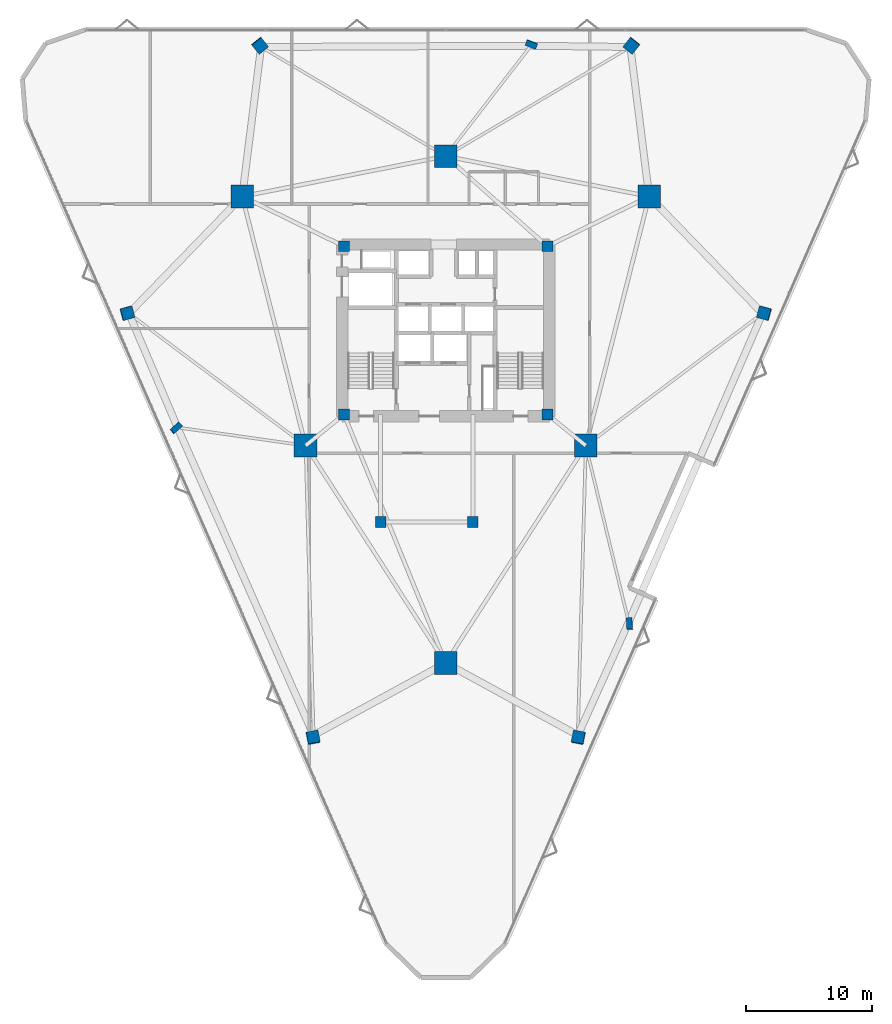
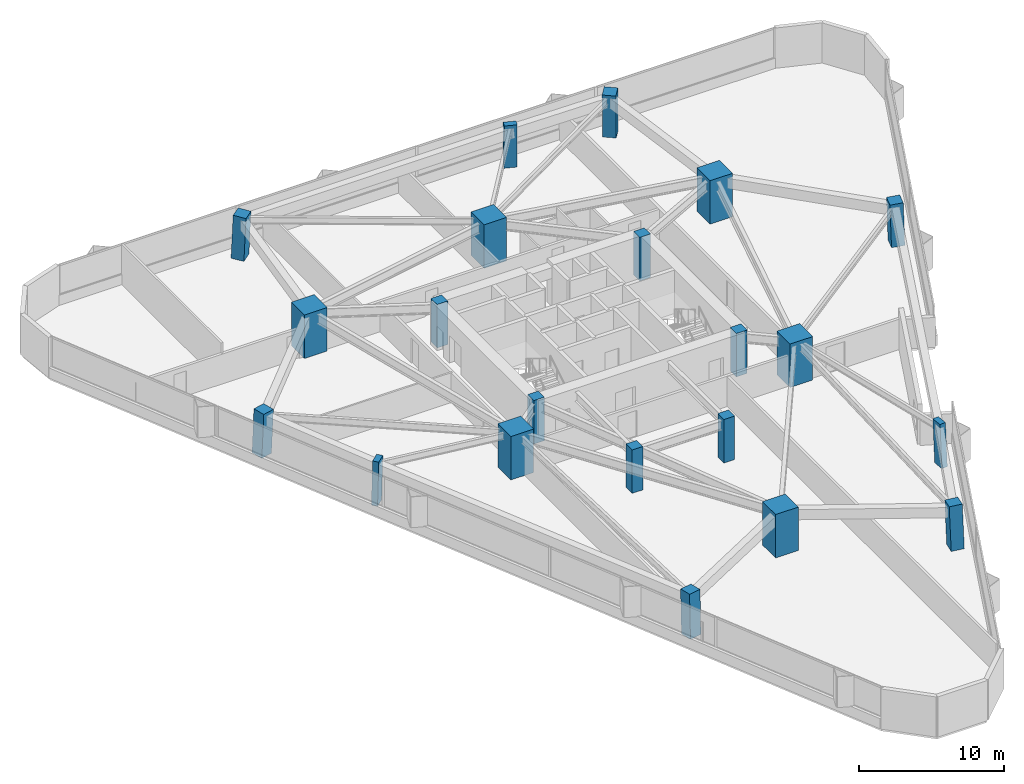
# One storey, part 1 of 14: 21 columns.
"""IFC4 building model written with IfcOpenShell, lengths in metres."""

from ifc_helpers import new_model, si_unit, direction, frame, origin, origin_2d, place, context, subcontext, project, spatial, rectangle, extrude, material, material_profile, profile_set, type_object, element, save


model = new_model("IFC4")

# Units and contexts
model_context = context("Model", 3, precision=1e-05, world=origin(), true_north=direction((0.0, 1.0)))
body_context = subcontext(model_context, "Body", "Model", "MODEL_VIEW")
ifc_project = project(units=[si_unit("LENGTHUNIT", "METRE"), si_unit("AREAUNIT", "SQUARE_METRE"), si_unit("VOLUMEUNIT", "CUBIC_METRE"), si_unit("PLANEANGLEUNIT", "RADIAN"), si_unit("MASSUNIT", "GRAM", prefix="KILO")], contexts=[model_context])

# Site, building, storey
site_placement = place(None, origin())
site = spatial("IfcSite", under=ifc_project, at=site_placement, CompositionType="ELEMENT")
building_placement = place(site_placement, origin())
building = spatial("IfcBuilding", under=site, at=building_placement, Name="Talyreon Biosciences Tower", CompositionType="ELEMENT")
storey_placement = place(building_placement, frame((0.0, 0.0, 52.0)))
storey = spatial("IfcBuildingStorey", under=building, at=storey_placement, Name="L13", CompositionType="ELEMENT", Elevation=52.0)

# Columns
ifc_material_1 = material(Name="Precast concrete C45/55", Category="concrete")
ifc_material_profile_1 = material_profile(ifc_material_1, rectangle(XDim=0.89990234375, YDim=0.449951171875, at=origin_2d()), Name="RC 900x450")
ifc_profile_set_1 = profile_set([ifc_material_profile_1], Name="Precast concrete C45/55")
column_type_1 = type_object("IfcColumnType", Name="FacadePilaster_900x450", PredefinedType="PILASTER", material=ifc_profile_set_1)
column_1_placement = place(storey_placement, frame((80.552734375, 44.767822265625, 0.0029296875), z_axis=(-0.019612004119, 0.038286915892, 0.999074312234), x_axis=(0.060300259614, -0.997402127238, 0.039406538446)))
element("IfcColumn", 1, at=column_1_placement, inside=storey, type_object=column_type_1, Name="L13 Facade Pilaster PL-SE", PredefinedType="PILASTER", context=body_context, shape_type="SweptSolid", body=[
    extrude(rectangle(XDim=0.89990234375, YDim=0.449951171875, at=origin_2d()), origin(), (0.0, 0.0, 1.0), 3.6474609375),
])
column_2_placement = place(storey_placement, frame((72.790283203125, 90.6484375, 0.0029296875), z_axis=(-0.012453496874, -0.033544096418, 0.99935964698), x_axis=(-0.937477612418, 0.348045580658, 0.0)))
element("IfcColumn", 2, at=column_2_placement, inside=storey, type_object=column_type_1, Name="L13 Facade Pilaster PL-N", PredefinedType="PILASTER", context=body_context, shape_type="SweptSolid", body=[
    extrude(rectangle(XDim=0.89990234375, YDim=0.449951171875, at=origin_2d()), origin(), (0.0, 0.0, 1.0), 3.646484375),
])
column_3_placement = place(storey_placement, frame((44.656982421875, 60.27734375, 0.0029296875), z_axis=(0.032073367297, 0.010512565064, 0.999430230224), x_axis=(0.745080128156, 0.666257925056, -0.030918925072)))
element("IfcColumn", 3, at=column_3_placement, inside=storey, type_object=column_type_1, Name="L13 Facade Pilaster PL-SW", PredefinedType="PILASTER", context=body_context, shape_type="SweptSolid", body=[
    extrude(rectangle(XDim=0.89990234375, YDim=0.449951171875, at=origin_2d()), origin(), (0.0, 0.0, 1.0), 3.646240234375),
])
ifc_material_2 = material(Name="Concrete C60/75", Category="concrete")
ifc_material_profile_2 = material_profile(ifc_material_2, rectangle(XDim=1.800048828125, YDim=1.800048828125, at=origin_2d()), Name="RC 1800x1800")
ifc_profile_set_2 = profile_set([ifc_material_profile_2], Name="Concrete C60/75")
column_type_2 = type_object("IfcColumnType", Name="MegaColumn_1800", PredefinedType="COLUMN", material=ifc_profile_set_2)
for number, where, z_axis, x_axis, name in (
    (4, (66.0, 41.6669921875, 0.0), (0.0, 0.0, 1.0), (1.0, 0.0, 0.0), "L13 Composite Mega-Column MC1"),
    (5, (82.102294921875, 78.5986328125, 0.0), (0.0, 0.0, 1.0), (1.0, 0.0, 0.0), "L13 Composite Mega-Column MC2"),
    (6, (49.897705078125, 78.5986328125, 0.0), (0.0, 0.0, 1.0), (1.0, 0.0, 0.0), "L13 Composite Mega-Column MC3"),
    (7, (77.086181640625, 58.88037109375, 0.0), (0.0, 0.0, 1.0), (1.0, 0.0, 0.0), "L13 Composite Mega-Column MC4"),
    (8, (66.0, 81.788818359375, 0.0), (0.0, 0.0, 1.0), (1.0, 0.0, 0.0), "L13 Composite Mega-Column MC5"),
    (9, (54.913818359375, 58.88037109375, 0.0), (0.0, 0.0, 1.0), (1.0, 0.0, 0.0), "L13 Composite Mega-Column MC6"),
):
    element("IfcColumn", number, at=place(storey_placement, frame(where, z_axis=z_axis, x_axis=x_axis)), inside=storey, type_object=column_type_2, Name=name, PredefinedType="COLUMN", context=body_context, shape_type="SweptSolid", body=[
        extrude(rectangle(XDim=1.800048828125, YDim=1.800048828125, at=origin_2d()), origin(), (0.0, 0.0, 1.0), 3.64990234375),
    ])
ifc_material_profile_3 = material_profile(ifc_material_2, rectangle(XDim=0.85009765625, YDim=0.85009765625, at=origin_2d()), Name="RC 850x850")
ifc_profile_set_3 = profile_set([ifc_material_profile_3], Name="Concrete C60/75")
column_type_3 = type_object("IfcColumnType", Name="PerimeterColumn_850", PredefinedType="COLUMN", material=ifc_profile_set_3)
for number, where, z_axis, x_axis, name in (
    (10, (57.949951171875, 61.35009765625, 0.0), (0.0, 0.0, 1.0), (1.0, 0.0, 0.0), "L13 Core Column CC1"),
    (11, (74.050048828125, 61.35009765625, 0.0), (0.0, 0.0, 1.0), (1.0, 0.0, 0.0), "L13 Core Column CC2"),
    (12, (74.050048828125, 74.64990234375, 0.0), (0.0, 0.0, 1.0), (1.0, 0.0, 0.0), "L13 Core Column CC3"),
    (13, (57.949951171875, 74.64990234375, 0.0), (0.0, 0.0, 1.0), (1.0, 0.0, 0.0), "L13 Core Column CC4"),
    (14, (60.85009765625, 52.840087890625, 0.0), (0.0, 0.0, 1.0), (1.0, 0.0, 0.0), "L13 Core Column CSW"),
    (15, (68.14990234375, 52.840087890625, 0.0), (0.0, 0.0, 1.0), (1.0, 0.0, 0.0), "L13 Core Column CSE"),
):
    element("IfcColumn", number, at=place(storey_placement, frame(where, z_axis=z_axis, x_axis=x_axis)), inside=storey, type_object=column_type_3, Name=name, PredefinedType="COLUMN", context=body_context, shape_type="SweptSolid", body=[
        extrude(rectangle(XDim=0.85009765625, YDim=0.85009765625, at=origin_2d()), origin(), (0.0, 0.0, 1.0), 3.64990234375),
    ])
ifc_material_profile_4 = material_profile(ifc_material_2, rectangle(XDim=0.949951171875, YDim=0.949951171875, at=origin_2d()), Name="RC 950x950")
ifc_profile_set_4 = profile_set([ifc_material_profile_4], Name="Concrete C60/75")
column_type_4 = type_object("IfcColumnType", Name="PerimeterColumn_950", PredefinedType="COLUMN", material=ifc_profile_set_4)
column_4_placement = place(storey_placement, frame((76.500244140625, 35.7607421875, 0.0029296875), z_axis=(-0.012375141264, 0.054450621561, 0.998439775695), x_axis=(-0.188379226129, -0.980763357947, 0.051151763134)))
element("IfcColumn", 16, at=column_4_placement, inside=storey, type_object=column_type_4, Name="L13 Tapering Perimeter Column PC-SE1", PredefinedType="COLUMN", context=body_context, shape_type="SweptSolid", body=[
    extrude(rectangle(XDim=0.949951171875, YDim=0.949951171875, at=origin_2d()), origin(), (0.0, 0.0, 1.0), 3.649658203125),
])
column_5_placement = place(storey_placement, frame((91.212158203125, 69.364501953125, 0.0029296875), z_axis=(-0.039229493406, -0.00569028488, 0.999214024874), x_axis=(0.963425770721, -0.265503653427, 0.036312454181)))
element("IfcColumn", 17, at=column_5_placement, inside=storey, type_object=column_type_4, Name="L13 Tapering Perimeter Column PC-SE2", PredefinedType="COLUMN", context=body_context, shape_type="SweptSolid", body=[
    extrude(rectangle(XDim=0.949951171875, YDim=0.949951171875, at=origin_2d()), origin(), (0.0, 0.0, 1.0), 3.64697265625),
])
for number, where, z_axis, x_axis, name in (
    (18, (80.7119140625, 90.54833984375, 0.0029296875), (-0.026841076243, -0.033534611465, 0.999077067328), (-0.780716755404, 0.624885067698, 0.0), "L13 Tapering Perimeter Column PC-N1"),
    (19, (51.2880859375, 90.54833984375, 0.0029296875), (0.026841076243, -0.033534611465, 0.999077067328), (-0.780716755404, -0.624885067698, 0.0), "L13 Tapering Perimeter Column PC-N2"),
):
    element("IfcColumn", number, at=place(storey_placement, frame(where, z_axis=z_axis, x_axis=x_axis)), inside=storey, type_object=column_type_4, Name=name, PredefinedType="COLUMN", context=body_context, shape_type="SweptSolid", body=[
        extrude(rectangle(XDim=0.949951171875, YDim=0.949951171875, at=origin_2d()), origin(), (0.0, 0.0, 1.0), 3.6474609375),
    ])
column_6_placement = place(storey_placement, frame((40.787841796875, 69.364501953125, 0.0029296875), z_axis=(0.039229493406, -0.00569028488, 0.999214024874), x_axis=(0.963425770721, 0.265503653427, -0.036312454181)))
element("IfcColumn", 20, at=column_6_placement, inside=storey, type_object=column_type_4, Name="L13 Tapering Perimeter Column PC-SW1", PredefinedType="COLUMN", context=body_context, shape_type="SweptSolid", body=[
    extrude(rectangle(XDim=0.949951171875, YDim=0.949951171875, at=origin_2d()), origin(), (0.0, 0.0, 1.0), 3.64697265625),
])
column_7_placement = place(storey_placement, frame((55.499755859375, 35.7607421875, 0.0029296875), z_axis=(0.012375141264, 0.054450621561, 0.998439775695), x_axis=(-0.188379226129, 0.980763357947, -0.051151763134)))
element("IfcColumn", 21, at=column_7_placement, inside=storey, type_object=column_type_4, Name="L13 Tapering Perimeter Column PC-SW2", PredefinedType="COLUMN", context=body_context, shape_type="SweptSolid", body=[
    extrude(rectangle(XDim=0.949951171875, YDim=0.949951171875, at=origin_2d()), origin(), (0.0, 0.0, 1.0), 3.649658203125),
])

save(model, "model.ifc")
